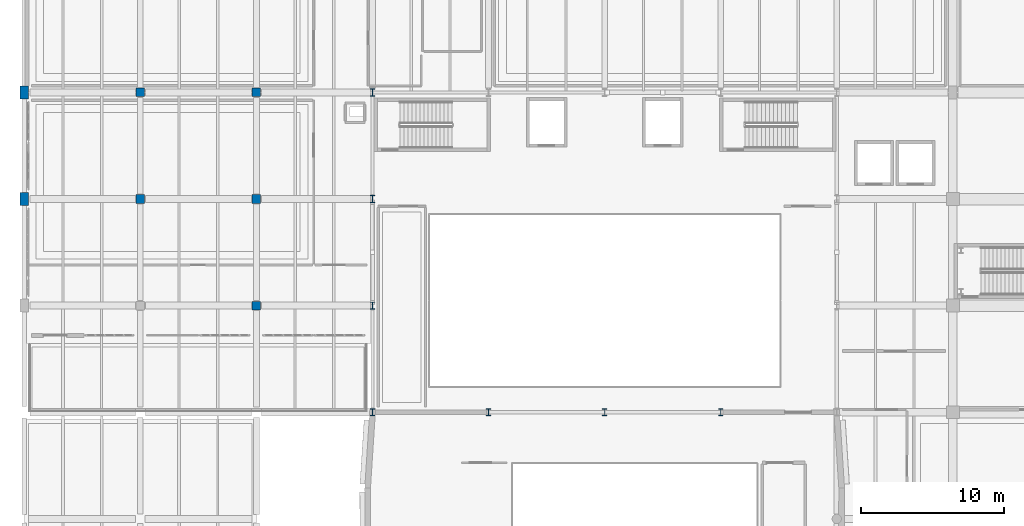
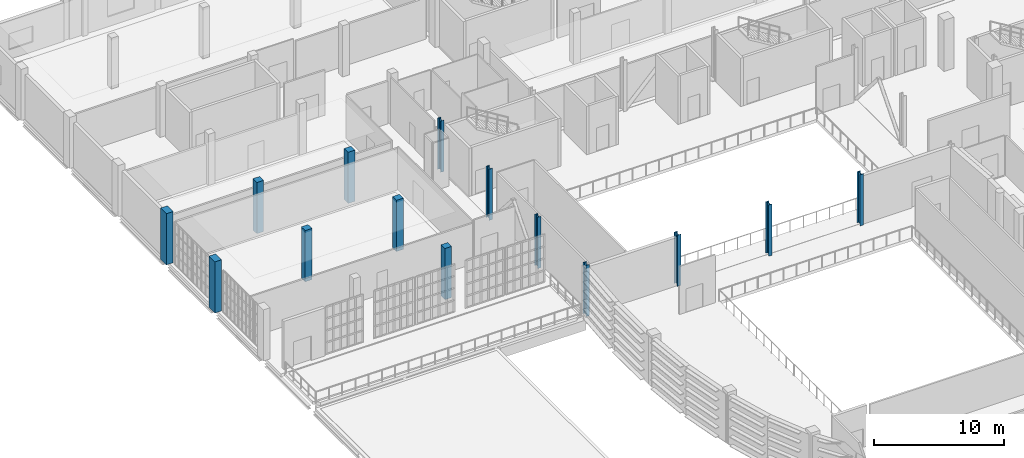
# One storey, part 2 of 104: 14 columns.
"""IFC4 building model written with IfcOpenShell, lengths in metres."""

from ifc_helpers import new_model, si_unit, direction, frame, origin, origin_2d, place, context, subcontext, project, spatial, rectangle, i_section, extrude, material, material_profile, profile_set, type_object, element, save


model = new_model("IFC4")

# Units and contexts
model_context = context("Model", 3, precision=1e-05, world=origin(), true_north=direction((0.0, 1.0)))
body_context = subcontext(model_context, "Body", "Model", "MODEL_VIEW")
ifc_project = project(units=[si_unit("LENGTHUNIT", "METRE"), si_unit("AREAUNIT", "SQUARE_METRE"), si_unit("VOLUMEUNIT", "CUBIC_METRE"), si_unit("PLANEANGLEUNIT", "RADIAN"), si_unit("MASSUNIT", "GRAM", prefix="KILO")], contexts=[model_context])

# Site, building, storey
site_placement = place(None, origin())
site = spatial("IfcSite", under=ifc_project, at=site_placement, CompositionType="ELEMENT")
building_placement = place(site_placement, origin())
building = spatial("IfcBuilding", under=site, at=building_placement, Name="Kaelora Sail Theatre", CompositionType="ELEMENT")
storey_placement = place(building_placement, frame((0.0, 0.0, 5.39990234375)))
storey = spatial("IfcBuildingStorey", under=building, at=storey_placement, Name="L01", CompositionType="ELEMENT", Elevation=5.39990234375)

# Columns
ifc_material_1 = material(Name="Steel S355", Category="steel")
ifc_material_profile_1 = material_profile(ifc_material_1, i_section(OverallWidth=0.300048828125, OverallDepth=0.5, WebThickness=0.014404296875, FlangeThickness=0.028076171875, FilletRadius=0.027099609375, at=origin_2d()), Name="HEB 500")
ifc_profile_set_1 = profile_set([ifc_material_profile_1], Name="Steel S355")
column_type_1 = type_object("IfcColumnType", Name="STR-COL-C-HEB500", PredefinedType="COLUMN", material=ifc_profile_set_1)
for number, where, z_axis, x_axis, name in (
    (1, (25.800048828125, 61.02001953125, 0.0), (0.0, 0.0, 1.0), (1.0, 0.0, 0.0), "Column 4/I (L01)"),
    (2, (25.800048828125, 68.4599609375, 0.0), (0.0, 0.0, 1.0), (1.0, 0.0, 0.0), "Column 4/J (L01)"),
    (3, (25.800048828125, 75.89990234375, 0.0), (0.0, 0.0, 1.0), (1.0, 0.0, 0.0), "Column 4/K (L01)"),
    (4, (25.800048828125, 83.340087890625, 0.0), (0.0, 0.0, 1.0), (1.0, 0.0, 0.0), "Column 4/L (L01)"),
    (5, (33.89990234375, 61.02001953125, 0.0), (0.0, 0.0, 1.0), (1.0, 0.0, 0.0), "Column 5/I (L01)"),
    (6, (42.0, 61.02001953125, 0.0), (0.0, 0.0, 1.0), (1.0, 0.0, 0.0), "Column 6/I (L01)"),
    (7, (50.10009765625, 61.02001953125, 0.0), (0.0, 0.0, 1.0), (1.0, 0.0, 0.0), "Column 7/I (L01)"),
):
    element("IfcColumn", number, at=place(storey_placement, frame(where, z_axis=z_axis, x_axis=x_axis)), inside=storey, type_object=column_type_1, Name=name, PredefinedType="COLUMN", context=body_context, shape_type="SweptSolid", body=[
        extrude(i_section(OverallWidth=0.300048828125, OverallDepth=0.5, WebThickness=0.014404296875, FlangeThickness=0.028076171875, FilletRadius=0.027099609375, at=origin_2d()), origin(), (0.0, 0.0, 1.0), 4.800048828125),
    ])
ifc_material_2 = material(Name="Concrete C40/50", Category="concrete")
ifc_material_profile_2 = material_profile(ifc_material_2, rectangle(XDim=0.60009765625, YDim=0.60009765625, at=origin_2d()), Name="RC-COL 600x600")
ifc_profile_set_2 = profile_set([ifc_material_profile_2], Name="Concrete C40/50")
column_type_2 = type_object("IfcColumnType", Name="STR-COL-C-RC600", PredefinedType="COLUMN", material=ifc_profile_set_2)
for number, where, z_axis, x_axis, name in (
    (8, (9.60009765625, 75.89990234375, 0.0), (0.0, 0.0, 1.0), (1.0, 0.0, 0.0), "Column 2/K (L01)"),
    (9, (9.60009765625, 83.340087890625, 0.0), (0.0, 0.0, 1.0), (1.0, 0.0, 0.0), "Column 2/L (L01)"),
    (10, (17.699951171875, 68.4599609375, 0.0), (0.0, 0.0, 1.0), (1.0, 0.0, 0.0), "Column 3/J (L01)"),
    (11, (17.699951171875, 75.89990234375, 0.0), (0.0, 0.0, 1.0), (1.0, 0.0, 0.0), "Column 3/K (L01)"),
    (12, (17.699951171875, 83.340087890625, 0.0), (0.0, 0.0, 1.0), (1.0, 0.0, 0.0), "Column 3/L (L01)"),
):
    element("IfcColumn", number, at=place(storey_placement, frame(where, z_axis=z_axis, x_axis=x_axis)), inside=storey, type_object=column_type_2, Name=name, PredefinedType="COLUMN", context=body_context, shape_type="SweptSolid", body=[
        extrude(rectangle(XDim=0.60009765625, YDim=0.60009765625, at=origin_2d()), origin(), (0.0, 0.0, 1.0), 4.800048828125),
    ])
ifc_material_3 = material(Name="Concrete C45/55", Category="concrete")
ifc_material_profile_3 = material_profile(ifc_material_3, rectangle(XDim=0.60009765625, YDim=0.89990234375, at=origin_2d()), Name="RC-COL 600x900")
ifc_profile_set_3 = profile_set([ifc_material_profile_3], Name="Concrete C45/55")
column_type_3 = type_object("IfcColumnType", Name="STR-COL-C-RC6090", PredefinedType="COLUMN", material=ifc_profile_set_3)
for number, where, z_axis, x_axis, name in (
    (13, (1.5, 75.89990234375, 0.0), (0.0, 0.0, 1.0), (1.0, 0.0, 0.0), "Column 1/K (L01)"),
    (14, (1.5, 83.340087890625, 0.0), (0.0, 0.0, 1.0), (1.0, 0.0, 0.0), "Column 1/L (L01)"),
):
    element("IfcColumn", number, at=place(storey_placement, frame(where, z_axis=z_axis, x_axis=x_axis)), inside=storey, type_object=column_type_3, Name=name, PredefinedType="COLUMN", context=body_context, shape_type="SweptSolid", body=[
        extrude(rectangle(XDim=0.60009765625, YDim=0.89990234375, at=origin_2d()), origin(), (0.0, 0.0, 1.0), 4.800048828125),
    ])

save(model, "model.ifc")
